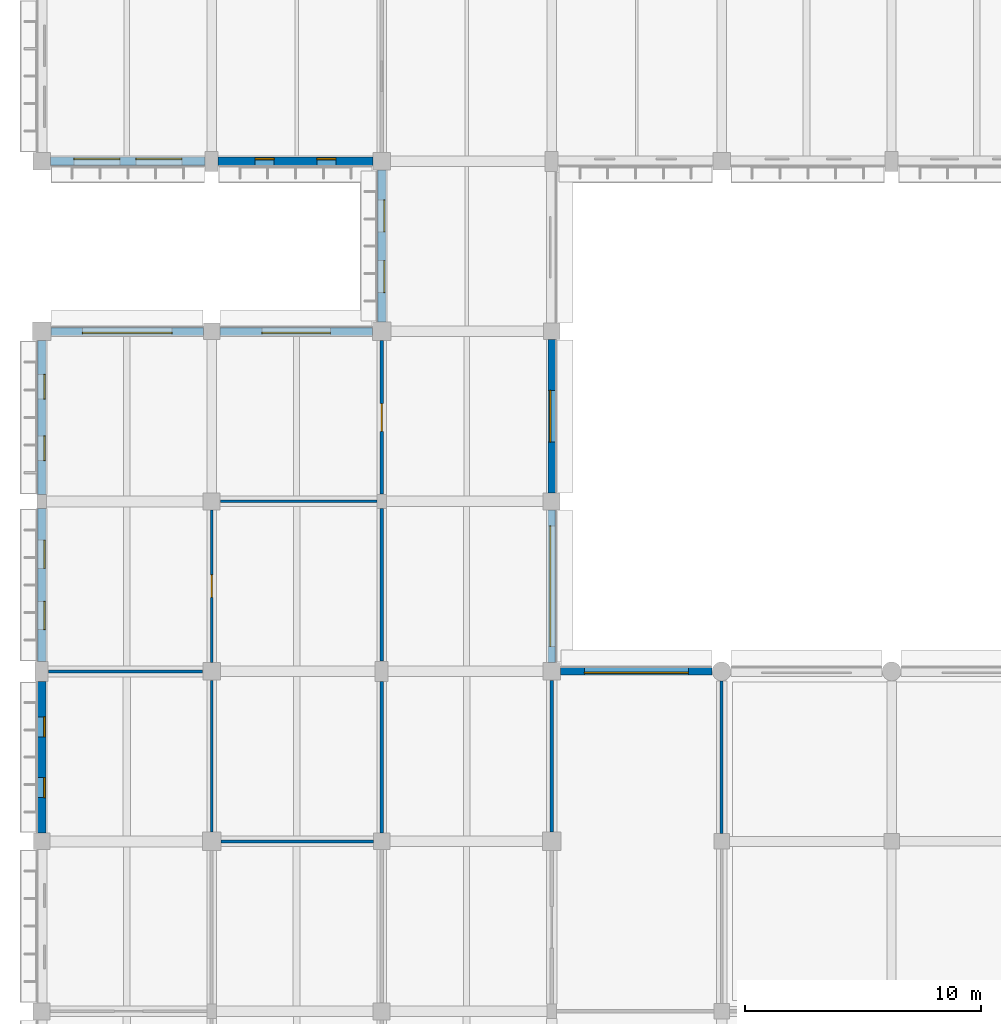
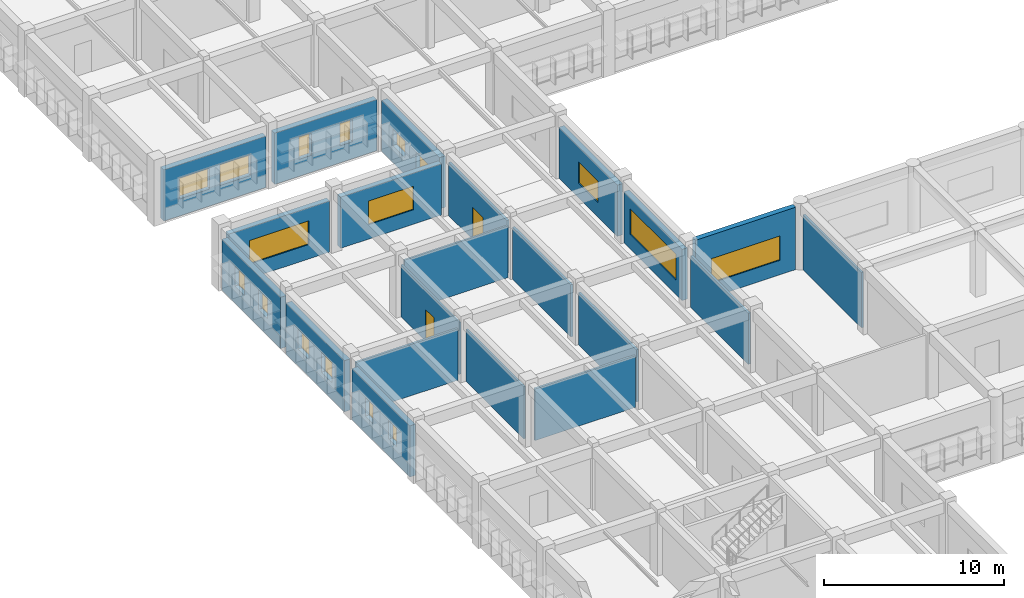
# One storey, part 42 of 61: 21 walls, 17 windows, 2 doors, 19 openings.
"""IFC4 building model written with IfcOpenShell, lengths in metres."""

from ifc_helpers import new_model, si_unit, direction, frame, frame_2d, origin, place, context, subcontext, project, spatial, rectangle, extrude, material, layer, layer_set, type_object, element, fill, save


model = new_model("IFC4")

# Units and contexts
model_context = context("Model", 3, precision=1e-05, world=origin(), true_north=direction((0.0, 1.0)))
body_context = subcontext(model_context, "Body", "Model", "MODEL_VIEW")
ifc_project = project(units=[si_unit("LENGTHUNIT", "METRE"), si_unit("AREAUNIT", "SQUARE_METRE"), si_unit("VOLUMEUNIT", "CUBIC_METRE"), si_unit("PLANEANGLEUNIT", "RADIAN"), si_unit("MASSUNIT", "GRAM", prefix="KILO")], contexts=[model_context])

# Site, building, storey
site_placement = place(None, origin())
site = spatial("IfcSite", under=ifc_project, at=site_placement, CompositionType="ELEMENT")
building_placement = place(site_placement, origin())
building = spatial("IfcBuilding", under=site, at=building_placement, Name="Thalmaran Polytechnic", CompositionType="ELEMENT")
storey_placement = place(building_placement, frame((0.0, 0.0, 9.89990234375)))
storey = spatial("IfcBuildingStorey", under=building, at=storey_placement, Name="L02", CompositionType="ELEMENT", Elevation=9.89990234375)

# Wall, openings, windows
ifc_material_1 = material(Name="Precast concrete C40/50", Category="concrete")
ifc_layer_1 = layer(ifc_material_1, 0.360107421875, Name="Precast concrete C40/50")
ifc_layer_set_1 = layer_set([ifc_layer_1], Name="Precast concrete C40/50")
wall_type_1 = type_object("IfcWallType", Name="WL-EW01", PredefinedType="STANDARD", material=ifc_layer_set_1)
wall_1_placement = place(storey_placement, frame((0.0, 65.14990234375, 0.0), z_axis=(0.0, 0.0, 1.0), x_axis=(0.0, 1.0, 0.0)))
wall_1 = element("IfcWall", 1, at=wall_1_placement, inside=storey, type_object=wall_type_1, Name="Exterior Precast Facade Wall L02-010", PredefinedType="STANDARD", context=body_context, shape_type="SweptSolid", body=[
    extrude(rectangle(XDim=6.425048828125, YDim=0.360107421875, at=frame_2d((3.21240234375, 0.0))), origin(), (0.0, 0.0, 1.0), 3.47021484375),
])
opening_1_placement = place(wall_1_placement, frame((1.50244140625, 0.0, 1.14990234375)))
opening_1 = element("IfcOpeningElement", 2, at=opening_1_placement, cuts=wall_1, Name="Opening VW14", PredefinedType="OPENING", context=body_context, shape_type="SweptSolid", body=[
    extrude(rectangle(XDim=0.85009765625, YDim=1.25, at=frame_2d((0.425048828125, 0.625))), frame((0.0, 0.18994140625, 0.0), z_axis=(0.0, -1.0, 0.0), x_axis=(1.0, 0.0, 0.0)), (0.0, 0.0, 1.0), 0.380126953125),
])
opening_2_placement = place(wall_1_placement, frame((4.072509765625, 0.0, 1.14990234375)))
opening_2 = element("IfcOpeningElement", 3, at=opening_2_placement, cuts=wall_1, Name="Opening VW14", PredefinedType="OPENING", context=body_context, shape_type="SweptSolid", body=[
    extrude(rectangle(XDim=0.85009765625, YDim=1.25, at=frame_2d((0.425048828125, 0.625))), frame((0.0, 0.18994140625, 0.0), z_axis=(0.0, -1.0, 0.0), x_axis=(1.0, 0.0, 0.0)), (0.0, 0.0, 1.0), 0.380126953125),
])
ifc_material_2 = material(Name="Thermally broken aluminium and double low-E glass", Category="aluminium")
window_type_1 = type_object("IfcWindowType", Name="WN-VZ14", PartitioningType="SINGLE_PANEL", PredefinedType="WINDOW", material=ifc_material_2)
window_1_placement = place(opening_1_placement, origin())
window_1 = element("IfcWindow", 4, at=window_1_placement, inside=storey, type_object=window_type_1, Name="Deep-Set Solar-Screened Window W-0203", OverallHeight=1.25, OverallWidth=0.85009765625, PartitioningType="SINGLE_PANEL", PredefinedType="WINDOW", context=body_context, shape_type="SweptSolid", body=[
    extrude(rectangle(XDim=0.85009765625, YDim=1.25, at=frame_2d((0.425048828125, 0.625))), frame((0.0, -0.080078125, 0.0), z_axis=(0.0, -1.0, 0.0), x_axis=(1.0, 0.0, 0.0)), (0.0, 0.0, 1.0), 0.06005859375),
])
fill(opening_1, window_1)
window_2_placement = place(opening_2_placement, origin())
window_2 = element("IfcWindow", 5, at=window_2_placement, inside=storey, type_object=window_type_1, Name="Deep-Set Solar-Screened Window W-0204", OverallHeight=1.25, OverallWidth=0.85009765625, PartitioningType="SINGLE_PANEL", PredefinedType="WINDOW", context=body_context, shape_type="SweptSolid", body=[
    extrude(rectangle(XDim=0.85009765625, YDim=1.25, at=frame_2d((0.425048828125, 0.625))), frame((0.0, -0.080078125, 0.0), z_axis=(0.0, -1.0, 0.0), x_axis=(1.0, 0.0, 0.0)), (0.0, 0.0, 1.0), 0.06005859375),
])
fill(opening_2, window_2)

wall_2_placement = place(storey_placement, frame((0.0, 72.425048828125, 0.0), z_axis=(0.0, 0.0, 1.0), x_axis=(0.0, 1.0, 0.0)))
wall_2 = element("IfcWall", 6, at=wall_2_placement, inside=storey, type_object=wall_type_1, Name="Exterior Precast Facade Wall L02-011", PredefinedType="STANDARD", context=body_context, shape_type="SweptSolid", body=[
    extrude(rectangle(XDim=6.474853515625, YDim=0.360107421875, at=frame_2d((3.2373046875, 0.0))), origin(), (0.0, 0.0, 1.0), 3.47021484375),
])
opening_3_placement = place(wall_2_placement, frame((1.342529296875, 0.0, 1.14990234375)))
opening_3 = element("IfcOpeningElement", 7, at=opening_3_placement, cuts=wall_2, Name="Opening PW11", PredefinedType="OPENING", context=body_context, shape_type="SweptSolid", body=[
    extrude(rectangle(XDim=1.199951171875, YDim=1.35009765625, at=frame_2d((0.60009765625, 0.675048828125))), frame((0.0, 0.18994140625, 0.0), z_axis=(0.0, -1.0, 0.0), x_axis=(1.0, 0.0, 0.0)), (0.0, 0.0, 1.0), 0.380126953125),
])
opening_4_placement = place(wall_2_placement, frame((3.9326171875, 0.0, 1.14990234375)))
opening_4 = element("IfcOpeningElement", 8, at=opening_4_placement, cuts=wall_2, Name="Opening PW11", PredefinedType="OPENING", context=body_context, shape_type="SweptSolid", body=[
    extrude(rectangle(XDim=1.199951171875, YDim=1.35009765625, at=frame_2d((0.60009765625, 0.675048828125))), frame((0.0, 0.18994140625, 0.0), z_axis=(0.0, -1.0, 0.0), x_axis=(1.0, 0.0, 0.0)), (0.0, 0.0, 1.0), 0.380126953125),
])
window_type_2 = type_object("IfcWindowType", Name="WN-PW01", PartitioningType="SINGLE_PANEL", PredefinedType="WINDOW", material=ifc_material_2)
window_3_placement = place(opening_3_placement, origin())
window_3 = element("IfcWindow", 9, at=window_3_placement, inside=storey, type_object=window_type_2, Name="Deep-Set Solar-Screened Window W-0205", OverallHeight=1.35009765625, OverallWidth=1.199951171875, PartitioningType="SINGLE_PANEL", PredefinedType="WINDOW", context=body_context, shape_type="SweptSolid", body=[
    extrude(rectangle(XDim=1.199951171875, YDim=1.35009765625, at=frame_2d((0.60009765625, 0.675048828125))), frame((0.0, -0.080078125, 0.0), z_axis=(0.0, -1.0, 0.0), x_axis=(1.0, 0.0, 0.0)), (0.0, 0.0, 1.0), 0.06005859375),
])
fill(opening_3, window_3)
window_4_placement = place(opening_4_placement, origin())
window_4 = element("IfcWindow", 10, at=window_4_placement, inside=storey, type_object=window_type_2, Name="Deep-Set Solar-Screened Window W-0206", OverallHeight=1.35009765625, OverallWidth=1.199951171875, PartitioningType="SINGLE_PANEL", PredefinedType="WINDOW", context=body_context, shape_type="SweptSolid", body=[
    extrude(rectangle(XDim=1.199951171875, YDim=1.35009765625, at=frame_2d((0.60009765625, 0.675048828125))), frame((0.0, -0.080078125, 0.0), z_axis=(0.0, -1.0, 0.0), x_axis=(1.0, 0.0, 0.0)), (0.0, 0.0, 1.0), 0.06005859375),
])
fill(opening_4, window_4)

wall_3_placement = place(storey_placement, frame((0.0, 79.5, 0.0), z_axis=(0.0, 0.0, 1.0), x_axis=(0.0, 1.0, 0.0)))
wall_3 = element("IfcWall", 11, at=wall_3_placement, inside=storey, type_object=wall_type_1, Name="Exterior Precast Facade Wall L02-012", PredefinedType="STANDARD", context=body_context, shape_type="SweptSolid", body=[
    extrude(rectangle(XDim=6.510009765625, YDim=0.360107421875, at=frame_2d((3.2548828125, 0.0))), origin(), (0.0, 0.0, 1.0), 3.47021484375),
])
opening_5_placement = place(wall_3_placement, frame((1.427978515625, 0.0, 1.14990234375)))
opening_5 = element("IfcOpeningElement", 12, at=opening_5_placement, cuts=wall_3, Name="Opening PW12", PredefinedType="OPENING", context=body_context, shape_type="SweptSolid", body=[
    extrude(rectangle(XDim=1.050048828125, YDim=1.35009765625, at=frame_2d((0.52490234375, 0.675048828125))), frame((0.0, 0.18994140625, 0.0), z_axis=(0.0, -1.0, 0.0), x_axis=(1.0, 0.0, 0.0)), (0.0, 0.0, 1.0), 0.380126953125),
])
opening_6_placement = place(wall_3_placement, frame((4.031982421875, 0.0, 1.14990234375)))
opening_6 = element("IfcOpeningElement", 13, at=opening_6_placement, cuts=wall_3, Name="Opening PW12", PredefinedType="OPENING", context=body_context, shape_type="SweptSolid", body=[
    extrude(rectangle(XDim=1.050048828125, YDim=1.35009765625, at=frame_2d((0.52490234375, 0.675048828125))), frame((0.0, 0.18994140625, 0.0), z_axis=(0.0, -1.0, 0.0), x_axis=(1.0, 0.0, 0.0)), (0.0, 0.0, 1.0), 0.380126953125),
])
window_type_3 = type_object("IfcWindowType", Name="WN-PW02", PartitioningType="SINGLE_PANEL", PredefinedType="WINDOW", material=ifc_material_2)
window_5_placement = place(opening_5_placement, origin())
window_5 = element("IfcWindow", 14, at=window_5_placement, inside=storey, type_object=window_type_3, Name="Deep-Set Solar-Screened Window W-0207", OverallHeight=1.35009765625, OverallWidth=1.050048828125, PartitioningType="SINGLE_PANEL", PredefinedType="WINDOW", context=body_context, shape_type="SweptSolid", body=[
    extrude(rectangle(XDim=1.050048828125, YDim=1.35009765625, at=frame_2d((0.52490234375, 0.675048828125))), frame((0.0, -0.080078125, 0.0), z_axis=(0.0, -1.0, 0.0), x_axis=(1.0, 0.0, 0.0)), (0.0, 0.0, 1.0), 0.06005859375),
])
fill(opening_5, window_5)
window_6_placement = place(opening_6_placement, origin())
window_6 = element("IfcWindow", 15, at=window_6_placement, inside=storey, type_object=window_type_3, Name="Deep-Set Solar-Screened Window W-0208", OverallHeight=1.35009765625, OverallWidth=1.050048828125, PartitioningType="SINGLE_PANEL", PredefinedType="WINDOW", context=body_context, shape_type="SweptSolid", body=[
    extrude(rectangle(XDim=1.050048828125, YDim=1.35009765625, at=frame_2d((0.52490234375, 0.675048828125))), frame((0.0, -0.080078125, 0.0), z_axis=(0.0, -1.0, 0.0), x_axis=(1.0, 0.0, 0.0)), (0.0, 0.0, 1.0), 0.06005859375),
])
fill(opening_6, window_6)

wall_4_placement = place(storey_placement, frame((14.39990234375, 86.7900390625, 0.0), z_axis=(0.0, 0.0, 1.0), x_axis=(0.0, 1.0, 0.0)))
wall_4 = element("IfcWall", 16, at=wall_4_placement, inside=storey, type_object=wall_type_1, Name="Exterior Precast Facade Wall L02-015", PredefinedType="STANDARD", context=body_context, shape_type="SweptSolid", body=[
    extrude(rectangle(XDim=6.43505859375, YDim=0.360107421875, at=frame_2d((3.217529296875, 0.0))), origin(), (0.0, 0.0, 1.0), 3.47021484375),
])
opening_7_placement = place(wall_4_placement, frame((1.255615234375, 0.0, 1.14990234375)))
opening_7 = element("IfcOpeningElement", 17, at=opening_7_placement, cuts=wall_4, Name="Opening PW15", PredefinedType="OPENING", context=body_context, shape_type="SweptSolid", body=[
    extrude(rectangle(XDim=1.35009765625, YDim=1.10009765625, at=frame_2d((0.675048828125, 0.550048828125))), frame((0.0, 0.18994140625, 0.0), z_axis=(0.0, -1.0, 0.0), x_axis=(1.0, 0.0, 0.0)), (0.0, 0.0, 1.0), 0.380126953125),
])
opening_8_placement = place(wall_4_placement, frame((3.82958984375, 0.0, 1.14990234375)))
opening_8 = element("IfcOpeningElement", 18, at=opening_8_placement, cuts=wall_4, Name="Opening PW15", PredefinedType="OPENING", context=body_context, shape_type="SweptSolid", body=[
    extrude(rectangle(XDim=1.35009765625, YDim=1.10009765625, at=frame_2d((0.675048828125, 0.550048828125))), frame((0.0, 0.18994140625, 0.0), z_axis=(0.0, -1.0, 0.0), x_axis=(1.0, 0.0, 0.0)), (0.0, 0.0, 1.0), 0.380126953125),
])
window_type_4 = type_object("IfcWindowType", Name="WN-PW05", PartitioningType="SINGLE_PANEL", PredefinedType="WINDOW", material=ifc_material_2)
window_7_placement = place(opening_7_placement, origin())
window_7 = element("IfcWindow", 19, at=window_7_placement, inside=storey, type_object=window_type_4, Name="Deep-Set Solar-Screened Window W-0211", OverallHeight=1.10009765625, OverallWidth=1.35009765625, PartitioningType="SINGLE_PANEL", PredefinedType="WINDOW", context=body_context, shape_type="SweptSolid", body=[
    extrude(rectangle(XDim=1.35009765625, YDim=1.10009765625, at=frame_2d((0.675048828125, 0.550048828125))), frame((0.0, -0.080078125, 0.0), z_axis=(0.0, -1.0, 0.0), x_axis=(1.0, 0.0, 0.0)), (0.0, 0.0, 1.0), 0.06005859375),
])
fill(opening_7, window_7)
window_8_placement = place(opening_8_placement, origin())
window_8 = element("IfcWindow", 20, at=window_8_placement, inside=storey, type_object=window_type_4, Name="Deep-Set Solar-Screened Window W-0212", OverallHeight=1.10009765625, OverallWidth=1.35009765625, PartitioningType="SINGLE_PANEL", PredefinedType="WINDOW", context=body_context, shape_type="SweptSolid", body=[
    extrude(rectangle(XDim=1.35009765625, YDim=1.10009765625, at=frame_2d((0.675048828125, 0.550048828125))), frame((0.0, -0.080078125, 0.0), z_axis=(0.0, -1.0, 0.0), x_axis=(1.0, 0.0, 0.0)), (0.0, 0.0, 1.0), 0.06005859375),
])
fill(opening_8, window_8)

wall_5_placement = place(storey_placement, frame((14.02490234375, 93.60009765625, 0.0), z_axis=(0.0, 0.0, 1.0), x_axis=(-1.0, 0.0, 0.0)))
wall_5 = element("IfcWall", 21, at=wall_5_placement, inside=storey, type_object=wall_type_1, Name="Exterior Precast Facade Wall L02-016", PredefinedType="STANDARD", context=body_context, shape_type="SweptSolid", body=[
    extrude(rectangle(XDim=6.5498046875, YDim=0.360107421875, at=frame_2d((3.27490234375, 0.0))), origin(), (0.0, 0.0, 1.0), 3.47021484375),
])
opening_9_placement = place(wall_5_placement, frame((1.56494140625, 0.0, 1.14990234375)))
opening_9 = element("IfcOpeningElement", 22, at=opening_9_placement, cuts=wall_5, Name="Opening PW16", PredefinedType="OPENING", context=body_context, shape_type="SweptSolid", body=[
    extrude(rectangle(XDim=0.800048828125, YDim=1.5, at=frame_2d((0.39990234375, 0.75))), frame((0.0, 0.18994140625, 0.0), z_axis=(0.0, -1.0, 0.0), x_axis=(1.0, 0.0, 0.0)), (0.0, 0.0, 1.0), 0.380126953125),
])
opening_10_placement = place(wall_5_placement, frame((4.18505859375, 0.0, 1.14990234375)))
opening_10 = element("IfcOpeningElement", 23, at=opening_10_placement, cuts=wall_5, Name="Opening PW16", PredefinedType="OPENING", context=body_context, shape_type="SweptSolid", body=[
    extrude(rectangle(XDim=0.800048828125, YDim=1.5, at=frame_2d((0.39990234375, 0.75))), frame((0.0, 0.18994140625, 0.0), z_axis=(0.0, -1.0, 0.0), x_axis=(1.0, 0.0, 0.0)), (0.0, 0.0, 1.0), 0.380126953125),
])
window_type_5 = type_object("IfcWindowType", Name="WN-PW06", PartitioningType="SINGLE_PANEL", PredefinedType="WINDOW", material=ifc_material_2)
window_9_placement = place(opening_9_placement, origin())
window_9 = element("IfcWindow", 24, at=window_9_placement, inside=storey, type_object=window_type_5, Name="Deep-Set Solar-Screened Window W-0213", OverallHeight=1.5, OverallWidth=0.800048828125, PartitioningType="SINGLE_PANEL", PredefinedType="WINDOW", context=body_context, shape_type="SweptSolid", body=[
    extrude(rectangle(XDim=0.800048828125, YDim=1.5, at=frame_2d((0.39990234375, 0.75))), frame((0.0, -0.080078125, 0.0), z_axis=(0.0, -1.0, 0.0), x_axis=(1.0, 0.0, 0.0)), (0.0, 0.0, 1.0), 0.06005859375),
])
fill(opening_9, window_9)
window_10_placement = place(opening_10_placement, origin())
window_10 = element("IfcWindow", 25, at=window_10_placement, inside=storey, type_object=window_type_5, Name="Deep-Set Solar-Screened Window W-0214", OverallHeight=1.5, OverallWidth=0.800048828125, PartitioningType="SINGLE_PANEL", PredefinedType="WINDOW", context=body_context, shape_type="SweptSolid", body=[
    extrude(rectangle(XDim=0.800048828125, YDim=1.5, at=frame_2d((0.39990234375, 0.75))), frame((0.0, -0.080078125, 0.0), z_axis=(0.0, -1.0, 0.0), x_axis=(1.0, 0.0, 0.0)), (0.0, 0.0, 1.0), 0.06005859375),
])
fill(opening_10, window_10)

wall_6_placement = place(storey_placement, frame((6.925048828125, 93.60009765625, 0.0), z_axis=(0.0, 0.0, 1.0), x_axis=(-1.0, 0.0, 0.0)))
wall_6 = element("IfcWall", 26, at=wall_6_placement, inside=storey, type_object=wall_type_1, Name="Exterior Precast Facade Wall L02-017", PredefinedType="STANDARD", context=body_context, shape_type="SweptSolid", body=[
    extrude(rectangle(XDim=6.550048828125, YDim=0.360107421875, at=frame_2d((3.27490234375, 0.0))), origin(), (0.0, 0.0, 1.0), 3.47021484375),
])
opening_11_placement = place(wall_6_placement, frame((0.989990234375, 0.0, 1.14990234375)))
opening_11 = element("IfcOpeningElement", 27, at=opening_11_placement, cuts=wall_6, Name="Opening VW07", PredefinedType="OPENING", context=body_context, shape_type="SweptSolid", body=[
    extrude(rectangle(XDim=1.949951171875, YDim=1.39990234375, at=frame_2d((0.97509765625, 0.699951171875))), frame((0.0, 0.18994140625, 0.0), z_axis=(0.0, -1.0, 0.0), x_axis=(1.0, 0.0, 0.0)), (0.0, 0.0, 1.0), 0.380126953125),
])
opening_12_placement = place(wall_6_placement, frame((3.610107421875, 0.0, 1.14990234375)))
opening_12 = element("IfcOpeningElement", 28, at=opening_12_placement, cuts=wall_6, Name="Opening VW07", PredefinedType="OPENING", context=body_context, shape_type="SweptSolid", body=[
    extrude(rectangle(XDim=1.949951171875, YDim=1.39990234375, at=frame_2d((0.97509765625, 0.699951171875))), frame((0.0, 0.18994140625, 0.0), z_axis=(0.0, -1.0, 0.0), x_axis=(1.0, 0.0, 0.0)), (0.0, 0.0, 1.0), 0.380126953125),
])
window_type_6 = type_object("IfcWindowType", Name="WN-VZ07", PartitioningType="SINGLE_PANEL", PredefinedType="WINDOW", material=ifc_material_2)
window_11_placement = place(opening_11_placement, origin())
window_11 = element("IfcWindow", 29, at=window_11_placement, inside=storey, type_object=window_type_6, Name="Deep-Set Solar-Screened Window W-0215", OverallHeight=1.39990234375, OverallWidth=1.949951171875, PartitioningType="SINGLE_PANEL", PredefinedType="WINDOW", context=body_context, shape_type="SweptSolid", body=[
    extrude(rectangle(XDim=1.949951171875, YDim=1.39990234375, at=frame_2d((0.97509765625, 0.699951171875))), frame((0.0, -0.080078125, 0.0), z_axis=(0.0, -1.0, 0.0), x_axis=(1.0, 0.0, 0.0)), (0.0, 0.0, 1.0), 0.06005859375),
])
fill(opening_11, window_11)
window_12_placement = place(opening_12_placement, origin())
window_12 = element("IfcWindow", 30, at=window_12_placement, inside=storey, type_object=window_type_6, Name="Deep-Set Solar-Screened Window W-0216", OverallHeight=1.39990234375, OverallWidth=1.949951171875, PartitioningType="SINGLE_PANEL", PredefinedType="WINDOW", context=body_context, shape_type="SweptSolid", body=[
    extrude(rectangle(XDim=1.949951171875, YDim=1.39990234375, at=frame_2d((0.97509765625, 0.699951171875))), frame((0.0, -0.080078125, 0.0), z_axis=(0.0, -1.0, 0.0), x_axis=(1.0, 0.0, 0.0)), (0.0, 0.0, 1.0), 0.06005859375),
])
fill(opening_12, window_12)

# Wall, opening, window
ifc_layer_2 = layer(ifc_material_1, 0.330078125, Name="Precast concrete C40/50")
ifc_layer_set_2 = layer_set([ifc_layer_2], Name="Precast concrete C40/50")
wall_type_2 = type_object("IfcWallType", Name="WL-EW02", PredefinedType="STANDARD", material=ifc_layer_set_2)
wall_7_placement = place(storey_placement, frame((0.389892578125, 86.39990234375, 0.0), z_axis=(0.0, 0.0, 1.0), x_axis=(1.0, 0.0, 0.0)))
wall_7 = element("IfcWall", 31, at=wall_7_placement, inside=storey, type_object=wall_type_2, Name="Exterior Precast Facade Wall L02-013", PredefinedType="STANDARD", context=body_context, shape_type="SweptSolid", body=[
    extrude(rectangle(XDim=6.460205078125, YDim=0.330078125, at=frame_2d((3.22998046875, 0.0))), origin(), (0.0, 0.0, 1.0), 3.47021484375),
])
opening_13_placement = place(wall_7_placement, frame((1.330078125, 0.0, 0.97998046875)))
opening_13 = element("IfcOpeningElement", 32, at=opening_13_placement, cuts=wall_7, Name="Opening VW17", PredefinedType="OPENING", context=body_context, shape_type="SweptSolid", body=[
    extrude(rectangle(XDim=3.800048828125, YDim=1.60009765625, at=frame_2d((1.89990234375, 0.800048828125))), frame((0.0, 0.175048828125, 0.0), z_axis=(0.0, -1.0, 0.0), x_axis=(1.0, 0.0, 0.0)), (0.0, 0.0, 1.0), 0.35009765625),
])
window_type_7 = type_object("IfcWindowType", Name="WN-VZ17", PartitioningType="DOUBLE_PANEL_VERTICAL", PredefinedType="WINDOW", material=ifc_material_2)
window_13_placement = place(opening_13_placement, origin())
window_13 = element("IfcWindow", 33, at=window_13_placement, inside=storey, type_object=window_type_7, Name="Streamline Ribbon Window W-0209", OverallHeight=1.60009765625, OverallWidth=3.800048828125, PartitioningType="SINGLE_PANEL", PredefinedType="WINDOW", context=body_context, shape_type="SweptSolid", body=[
    extrude(rectangle(XDim=3.800048828125, YDim=1.60009765625, at=frame_2d((1.89990234375, 0.800048828125))), frame((0.0, -0.030029296875, 0.0), z_axis=(0.0, -1.0, 0.0), x_axis=(1.0, 0.0, 0.0)), (0.0, 0.0, 1.0), 0.06005859375),
])
fill(opening_13, window_13)

wall_8_placement = place(storey_placement, frame((7.550048828125, 86.39990234375, 0.0), z_axis=(0.0, 0.0, 1.0), x_axis=(1.0, 0.0, 0.0)))
wall_8 = element("IfcWall", 34, at=wall_8_placement, inside=storey, type_object=wall_type_2, Name="Exterior Precast Facade Wall L02-014", PredefinedType="STANDARD", context=body_context, shape_type="SweptSolid", body=[
    extrude(rectangle(XDim=6.4599609375, YDim=0.330078125, at=frame_2d((3.22998046875, 0.0))), origin(), (0.0, 0.0, 1.0), 3.47021484375),
])
opening_14_placement = place(wall_8_placement, frame((1.780029296875, 0.0, 0.97998046875)))
opening_14 = element("IfcOpeningElement", 35, at=opening_14_placement, cuts=wall_8, Name="Opening VW18", PredefinedType="OPENING", context=body_context, shape_type="SweptSolid", body=[
    extrude(rectangle(XDim=2.89990234375, YDim=1.60009765625, at=frame_2d((1.449951171875, 0.800048828125))), frame((0.0, 0.175048828125, 0.0), z_axis=(0.0, -1.0, 0.0), x_axis=(1.0, 0.0, 0.0)), (0.0, 0.0, 1.0), 0.35009765625),
])
window_type_8 = type_object("IfcWindowType", Name="WN-VZ18", PartitioningType="DOUBLE_PANEL_VERTICAL", PredefinedType="WINDOW", material=ifc_material_2)
window_14_placement = place(opening_14_placement, origin())
window_14 = element("IfcWindow", 36, at=window_14_placement, inside=storey, type_object=window_type_8, Name="Streamline Ribbon Window W-0210", OverallHeight=1.60009765625, OverallWidth=2.89990234375, PartitioningType="SINGLE_PANEL", PredefinedType="WINDOW", context=body_context, shape_type="SweptSolid", body=[
    extrude(rectangle(XDim=2.89990234375, YDim=1.60009765625, at=frame_2d((1.449951171875, 0.800048828125))), frame((0.0, -0.030029296875, 0.0), z_axis=(0.0, -1.0, 0.0), x_axis=(1.0, 0.0, 0.0)), (0.0, 0.0, 1.0), 0.06005859375),
])
fill(opening_14, window_14)

wall_9_placement = place(storey_placement, frame((21.60009765625, 86.050048828125, 0.0), z_axis=(0.0, 0.0, 1.0), x_axis=(0.0, -1.0, 0.0)))
wall_9 = element("IfcWall", 37, at=wall_9_placement, inside=storey, type_object=wall_type_2, Name="Exterior Precast Facade Wall L02-110", PredefinedType="STANDARD", context=body_context, shape_type="SweptSolid", body=[
    extrude(rectangle(XDim=6.489990234375, YDim=0.330078125, at=frame_2d((3.2451171875, 0.0))), origin(), (0.0, 0.0, 1.0), 3.47021484375),
])
opening_15_placement = place(wall_9_placement, frame((2.14501953125, 0.0, 0.97998046875)))
opening_15 = element("IfcOpeningElement", 38, at=opening_15_placement, cuts=wall_9, Name="Opening VW06", PredefinedType="OPENING", context=body_context, shape_type="SweptSolid", body=[
    extrude(rectangle(XDim=2.199951171875, YDim=1.449951171875, at=frame_2d((1.10009765625, 0.72509765625))), frame((0.0, 0.175048828125, 0.0), z_axis=(0.0, -1.0, 0.0), x_axis=(1.0, 0.0, 0.0)), (0.0, 0.0, 1.0), 0.35009765625),
])
window_type_9 = type_object("IfcWindowType", Name="WN-VZ06", PartitioningType="DOUBLE_PANEL_VERTICAL", PredefinedType="WINDOW", material=ifc_material_2)
window_15_placement = place(opening_15_placement, origin())
window_15 = element("IfcWindow", 39, at=window_15_placement, inside=storey, type_object=window_type_9, Name="Streamline Ribbon Window W-0319", OverallHeight=1.449951171875, OverallWidth=2.199951171875, PartitioningType="SINGLE_PANEL", PredefinedType="WINDOW", context=body_context, shape_type="SweptSolid", body=[
    extrude(rectangle(XDim=2.199951171875, YDim=1.449951171875, at=frame_2d((1.10009765625, 0.72509765625))), frame((0.0, -0.030029296875, 0.0), z_axis=(0.0, -1.0, 0.0), x_axis=(1.0, 0.0, 0.0)), (0.0, 0.0, 1.0), 0.06005859375),
])
fill(opening_15, window_15)

wall_10_placement = place(storey_placement, frame((21.60009765625, 78.840087890625, 0.0), z_axis=(0.0, 0.0, 1.0), x_axis=(0.0, -1.0, 0.0)))
wall_10 = element("IfcWall", 40, at=wall_10_placement, inside=storey, type_object=wall_type_2, Name="Exterior Precast Facade Wall L02-111", PredefinedType="STANDARD", context=body_context, shape_type="SweptSolid", body=[
    extrude(rectangle(XDim=6.465087890625, YDim=0.330078125, at=frame_2d((3.232421875, 0.0))), origin(), (0.0, 0.0, 1.0), 3.47021484375),
])
opening_16_placement = place(wall_10_placement, frame((0.6826171875, 0.0, 0.97998046875)))
opening_16 = element("IfcOpeningElement", 41, at=opening_16_placement, cuts=wall_10, Name="Opening VW15", PredefinedType="OPENING", context=body_context, shape_type="SweptSolid", body=[
    extrude(rectangle(XDim=5.10009765625, YDim=1.75, at=frame_2d((2.550048828125, 0.875))), frame((0.0, 0.175048828125, 0.0), z_axis=(0.0, -1.0, 0.0), x_axis=(1.0, 0.0, 0.0)), (0.0, 0.0, 1.0), 0.35009765625),
])
window_type_10 = type_object("IfcWindowType", Name="WN-VZ15", PartitioningType="TRIPLE_PANEL_HORIZONTAL", PredefinedType="WINDOW", material=ifc_material_2)
window_16_placement = place(opening_16_placement, origin())
window_16 = element("IfcWindow", 42, at=window_16_placement, inside=storey, type_object=window_type_10, Name="Streamline Ribbon Window W-0320", OverallHeight=1.75, OverallWidth=5.10009765625, PartitioningType="SINGLE_PANEL", PredefinedType="WINDOW", context=body_context, shape_type="SweptSolid", body=[
    extrude(rectangle(XDim=5.10009765625, YDim=1.75, at=frame_2d((2.550048828125, 0.875))), frame((0.0, -0.030029296875, 0.0), z_axis=(0.0, -1.0, 0.0), x_axis=(1.0, 0.0, 0.0)), (0.0, 0.0, 1.0), 0.06005859375),
])
fill(opening_16, window_16)

wall_11_placement = place(storey_placement, frame((21.97509765625, 72.0, 0.0), z_axis=(0.0, 0.0, 1.0), x_axis=(1.0, 0.0, 0.0)))
wall_11 = element("IfcWall", 43, at=wall_11_placement, inside=storey, type_object=wall_type_2, Name="Exterior Precast Facade Wall L02-112", PredefinedType="STANDARD", context=body_context, shape_type="SweptSolid", body=[
    extrude(rectangle(XDim=6.4248046875, YDim=0.330078125, at=frame_2d((3.21240234375, 0.0))), origin(), (0.0, 0.0, 1.0), 4.22509765625),
])
opening_17_placement = place(wall_11_placement, frame((1.012451171875, 0.0, 0.97998046875)))
opening_17 = element("IfcOpeningElement", 44, at=opening_17_placement, cuts=wall_11, Name="Opening VW16", PredefinedType="OPENING", context=body_context, shape_type="SweptSolid", body=[
    extrude(rectangle(XDim=4.39990234375, YDim=1.64990234375, at=frame_2d((2.199951171875, 0.824951171875))), frame((0.0, 0.175048828125, 0.0), z_axis=(0.0, -1.0, 0.0), x_axis=(1.0, 0.0, 0.0)), (0.0, 0.0, 1.0), 0.35009765625),
])
window_type_11 = type_object("IfcWindowType", Name="WN-VZ16", PartitioningType="TRIPLE_PANEL_HORIZONTAL", PredefinedType="WINDOW", material=ifc_material_2)
window_17_placement = place(opening_17_placement, origin())
window_17 = element("IfcWindow", 45, at=window_17_placement, inside=storey, type_object=window_type_11, Name="Streamline Ribbon Window W-0321", OverallHeight=1.64990234375, OverallWidth=4.39990234375, PartitioningType="SINGLE_PANEL", PredefinedType="WINDOW", context=body_context, shape_type="SweptSolid", body=[
    extrude(rectangle(XDim=4.39990234375, YDim=1.64990234375, at=frame_2d((2.199951171875, 0.824951171875))), frame((0.0, -0.030029296875, 0.0), z_axis=(0.0, -1.0, 0.0), x_axis=(1.0, 0.0, 0.0)), (0.0, 0.0, 1.0), 0.06005859375),
])
fill(opening_17, window_17)

# Walls
ifc_material_3 = material(Name="Gypsum acoustic partition")
ifc_layer_3 = layer(ifc_material_3, 0.14501953125, Name="Gypsum acoustic partition")
ifc_layer_set_3 = layer_set([ifc_layer_3], Name="Gypsum acoustic partition")
wall_type_3 = type_object("IfcWallType", Name="WL-IW06", PredefinedType="PARTITIONING", material=ifc_layer_set_3)
wall_12_placement = place(storey_placement, frame((14.39990234375, 65.155029296875, 0.0), z_axis=(0.0, 0.0, 1.0), x_axis=(0.0, 1.0, 0.0)))
element("IfcWall", 46, at=wall_12_placement, inside=storey, type_object=wall_type_3, Name="Interior Partition IW06 L02-023", PredefinedType="PARTITIONING", context=body_context, shape_type="SweptSolid", body=[
    extrude(rectangle(XDim=6.4150390625, YDim=0.14501953125, at=frame_2d((3.20751953125, 0.0))), origin(), (0.0, 0.0, 1.0), 3.530029296875),
])
wall_13_placement = place(storey_placement, frame((14.39990234375, 72.429931640625, 0.0), z_axis=(0.0, 0.0, 1.0), x_axis=(0.0, 1.0, 0.0)))
element("IfcWall", 47, at=wall_13_placement, inside=storey, type_object=wall_type_3, Name="Interior Partition IW06 L02-024", PredefinedType="PARTITIONING", context=body_context, shape_type="SweptSolid", body=[
    extrude(rectangle(XDim=6.465087890625, YDim=0.14501953125, at=frame_2d((3.232421875, 0.0))), origin(), (0.0, 0.0, 1.0), 3.530029296875),
])

# Wall, opening, door
wall_14_placement = place(storey_placement, frame((14.39990234375, 79.5048828125, 0.0), z_axis=(0.0, 0.0, 1.0), x_axis=(0.0, 1.0, 0.0)))
wall_14 = element("IfcWall", 48, at=wall_14_placement, inside=storey, type_object=wall_type_3, Name="Interior Partition IW06 L02-026", PredefinedType="PARTITIONING", context=body_context, shape_type="SweptSolid", body=[
    extrude(rectangle(XDim=6.5, YDim=0.14501953125, at=frame_2d((3.25, 0.0))), origin(), (0.0, 0.0, 1.0), 3.59521484375),
])
opening_18_placement = place(wall_14_placement, frame((2.659912109375, 0.0, 0.0)))
opening_18 = element("IfcOpeningElement", 49, at=opening_18_placement, cuts=wall_14, Name="Opening D-L02-003-1-06-1", PredefinedType="OPENING", context=body_context, shape_type="SweptSolid", body=[
    extrude(rectangle(XDim=1.179931640625, YDim=2.179931640625, at=frame_2d((0.58984375, 1.08984375))), frame((0.0, 0.08251953125, 0.0), z_axis=(0.0, -1.0, 0.0), x_axis=(1.0, 0.0, 0.0)), (0.0, 0.0, 1.0), 0.1650390625),
])
ifc_material_4 = material(Name="Acoustic hardwood", Category="wood")
door_type_1 = type_object("IfcDoorType", Name="DR-ZD05", OperationType="NOTDEFINED", PredefinedType="DOOR", material=ifc_material_4)
door_1_placement = place(opening_18_placement, origin())
door_1 = element("IfcDoor", 50, at=door_1_placement, inside=storey, type_object=door_type_1, Name="Academic Department Suite L02-06 Door 1", OperationType="SINGLE_SWING_RIGHT", OverallHeight=2.179931640625, OverallWidth=1.179931640625, PredefinedType="DOOR", context=body_context, shape_type="SweptSolid", body=[
    extrude(rectangle(XDim=1.179931640625, YDim=2.179931640625, at=frame_2d((0.58984375, 1.08984375))), frame((0.0, 0.02490234375, 0.0), z_axis=(0.0, -1.0, 0.0), x_axis=(1.0, 0.0, 0.0)), (0.0, 0.0, 1.0), 0.050048828125),
])
fill(opening_18, door_1)

# Walls
wall_15_placement = place(storey_placement, frame((21.60009765625, 65.195068359375, 0.0), z_axis=(0.0, 0.0, 1.0), x_axis=(0.0, 1.0, 0.0)))
element("IfcWall", 51, at=wall_15_placement, inside=storey, type_object=wall_type_3, Name="Interior Partition IW06 L02-034", PredefinedType="PARTITIONING", context=body_context, shape_type="SweptSolid", body=[
    extrude(rectangle(XDim=6.425048828125, YDim=0.14501953125, at=frame_2d((3.21240234375, 0.0))), origin(), (0.0, 0.0, 1.0), 3.47021484375),
])
ifc_layer_4 = layer(ifc_material_3, 0.1298828125, Name="Gypsum acoustic partition")
ifc_layer_set_4 = layer_set([ifc_layer_4], Name="Gypsum acoustic partition")
wall_type_4 = type_object("IfcWallType", Name="WL-IW07", PredefinedType="PARTITIONING", material=ifc_layer_set_4)
wall_16_placement = place(storey_placement, frame((0.280029296875, 72.0, 0.0), z_axis=(0.0, 0.0, 1.0), x_axis=(1.0, 0.0, 0.0)))
element("IfcWall", 52, at=wall_16_placement, inside=storey, type_object=wall_type_4, Name="Interior Partition IW07 L02-012", PredefinedType="PARTITIONING", context=body_context, shape_type="SweptSolid", body=[
    extrude(rectangle(XDim=6.5400390625, YDim=0.1298828125, at=frame_2d((3.27001953125, 0.0))), origin(), (0.0, 0.0, 1.0), 3.485107421875),
])
wall_17_placement = place(storey_placement, frame((7.594970703125, 64.800048828125, 0.0), z_axis=(0.0, 0.0, 1.0), x_axis=(1.0, 0.0, 0.0)))
element("IfcWall", 53, at=wall_17_placement, inside=storey, type_object=wall_type_4, Name="Interior Partition IW07 L02-022", PredefinedType="PARTITIONING", context=body_context, shape_type="SweptSolid", body=[
    extrude(rectangle(XDim=6.449951171875, YDim=0.1298828125, at=frame_2d((3.22509765625, 0.0))), origin(), (0.0, 0.0, 1.0), 3.5),
])
wall_18_placement = place(storey_placement, frame((28.800048828125, 65.1298828125, 0.0), z_axis=(0.0, 0.0, 1.0), x_axis=(0.0, 1.0, 0.0)))
element("IfcWall", 54, at=wall_18_placement, inside=storey, type_object=wall_type_4, Name="Interior Partition IW07 L02-042", PredefinedType="PARTITIONING", context=body_context, shape_type="SweptSolid", body=[
    extrude(rectangle(XDim=6.465087890625, YDim=0.1298828125, at=frame_2d((3.232421875, 0.0))), origin(), (0.0, 0.0, 1.0), 3.7451171875),
])
ifc_layer_5 = layer(ifc_material_3, 0.114990234375, Name="Gypsum acoustic partition")
ifc_layer_set_5 = layer_set([ifc_layer_5], Name="Gypsum acoustic partition")
wall_type_5 = type_object("IfcWallType", Name="WL-IW08", PredefinedType="PARTITIONING", material=ifc_layer_set_5)
wall_19_placement = place(storey_placement, frame((7.199951171875, 65.195068359375, 0.0), z_axis=(0.0, 0.0, 1.0), x_axis=(0.0, 1.0, 0.0)))
element("IfcWall", 55, at=wall_19_placement, inside=storey, type_object=wall_type_5, Name="Interior Partition IW08 L02-011", PredefinedType="PARTITIONING", context=body_context, shape_type="SweptSolid", body=[
    extrude(rectangle(XDim=6.425048828125, YDim=0.114990234375, at=frame_2d((3.21240234375, 0.0))), origin(), (0.0, 0.0, 1.0), 3.530029296875),
])

# Wall, opening, door
wall_20_placement = place(storey_placement, frame((7.199951171875, 72.3798828125, 0.0), z_axis=(0.0, 0.0, 1.0), x_axis=(0.0, 1.0, 0.0)))
wall_20 = element("IfcWall", 56, at=wall_20_placement, inside=storey, type_object=wall_type_5, Name="Interior Partition IW08 L02-013", PredefinedType="PARTITIONING", context=body_context, shape_type="SweptSolid", body=[
    extrude(rectangle(XDim=6.455078125, YDim=0.114990234375, at=frame_2d((3.2275390625, 0.0))), origin(), (0.0, 0.0, 1.0), 3.530029296875),
])
opening_19_placement = place(wall_20_placement, frame((2.75244140625, 0.0, 0.0)))
opening_19 = element("IfcOpeningElement", 57, at=opening_19_placement, cuts=wall_20, Name="Opening D-L02-007-1-10-1", PredefinedType="OPENING", context=body_context, shape_type="SweptSolid", body=[
    extrude(rectangle(XDim=0.949951171875, YDim=2.14990234375, at=frame_2d((0.47509765625, 1.074951171875))), frame((0.0, 0.0673828125, 0.0), z_axis=(0.0, -1.0, 0.0), x_axis=(1.0, 0.0, 0.0)), (0.0, 0.0, 1.0), 0.135009765625),
])
ifc_material_5 = material(Name="Powder-coated fire-rated steel", Category="steel")
door_type_2 = type_object("IfcDoorType", Name="DR-FD08", OperationType="NOTDEFINED", PredefinedType="DOOR", material=ifc_material_5)
door_2_placement = place(opening_19_placement, origin())
door_2 = element("IfcDoor", 58, at=door_2_placement, inside=storey, type_object=door_type_2, Name="Industrial Design Studio L02-10 Door 1", OperationType="SINGLE_SWING_RIGHT", OverallHeight=2.14990234375, OverallWidth=0.949951171875, PredefinedType="DOOR", context=body_context, shape_type="SweptSolid", body=[
    extrude(rectangle(XDim=0.949951171875, YDim=2.14990234375, at=frame_2d((0.47509765625, 1.074951171875))), frame((0.0, 0.02490234375, 0.0), z_axis=(0.0, -1.0, 0.0), x_axis=(1.0, 0.0, 0.0)), (0.0, 0.0, 1.0), 0.050048828125),
])
fill(opening_19, door_2)

# Wall
wall_21_placement = place(storey_placement, frame((7.56494140625, 79.199951171875, 0.0), z_axis=(0.0, 0.0, 1.0), x_axis=(1.0, 0.0, 0.0)))
element("IfcWall", 59, at=wall_21_placement, inside=storey, type_object=wall_type_5, Name="Interior Partition IW08 L02-025", PredefinedType="PARTITIONING", context=body_context, shape_type="SweptSolid", body=[
    extrude(rectangle(XDim=6.630126953125, YDim=0.114990234375, at=frame_2d((3.31494140625, 0.0))), origin(), (0.0, 0.0, 1.0), 3.5),
])

save(model, "model.ifc")
